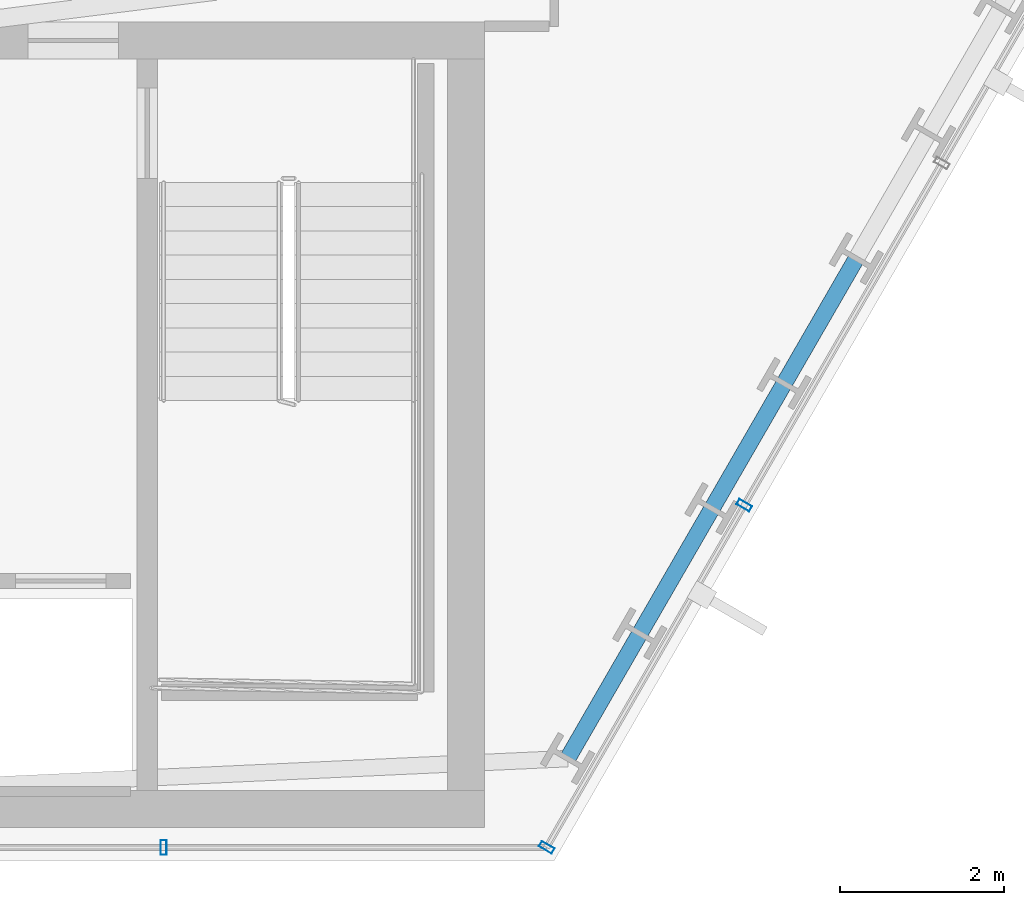
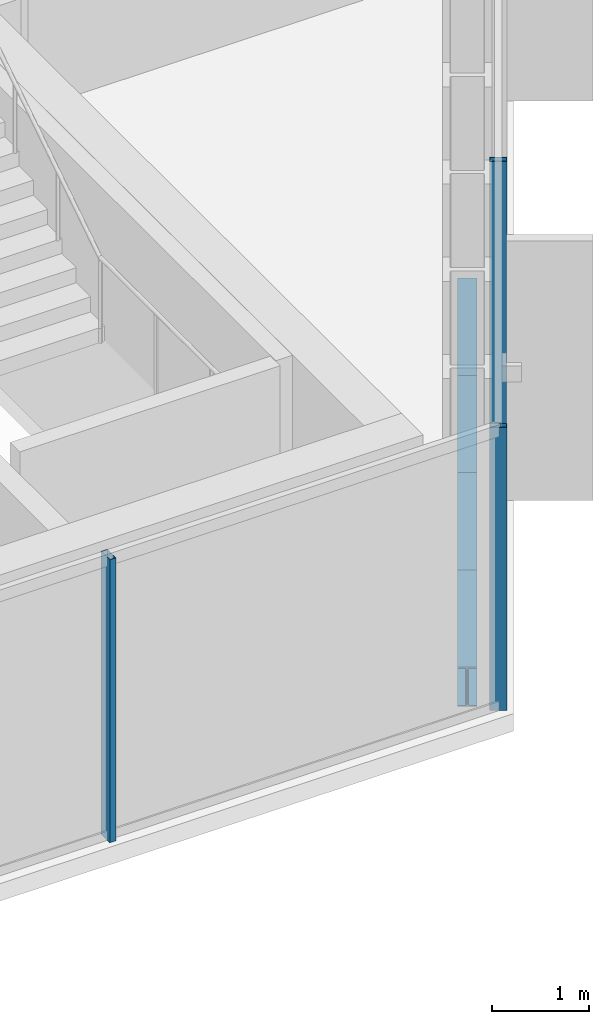
# One storey, part 16 of 33: 4 beams, 3 members, 2 elements without a shape of their own.
"""IFC4 building model written with IfcOpenShell, lengths in metres."""

from ifc_helpers import new_model, si_unit, direction, frame, origin, origin_2d, place, context, subcontext, project, spatial, hollow_rectangle, i_section, extrude, material, layer, layer_set, material_profile, profile_set, type_object, element, aggregate, save


model = new_model("IFC4")

# Units and contexts
model_context = context("Model", 3, precision=1e-05, world=origin(), true_north=direction((0.0, 1.0)))
body_context = subcontext(model_context, "Body", "Model", "MODEL_VIEW")
ifc_project = project(units=[si_unit("LENGTHUNIT", "METRE"), si_unit("AREAUNIT", "SQUARE_METRE"), si_unit("VOLUMEUNIT", "CUBIC_METRE"), si_unit("PLANEANGLEUNIT", "RADIAN"), si_unit("MASSUNIT", "GRAM", prefix="KILO")], contexts=[model_context])

# Site, building, storey
site_placement = place(None, origin())
site = spatial("IfcSite", under=ifc_project, at=site_placement, CompositionType="ELEMENT")
building_placement = place(site_placement, origin())
building = spatial("IfcBuilding", under=site, at=building_placement, Name="Ndaravel Arena Tower", CompositionType="ELEMENT")
storey_placement = place(building_placement, frame((0.0, 0.0, 81.60009765625)))
storey = spatial("IfcBuildingStorey", under=building, at=storey_placement, Name="L18", CompositionType="ELEMENT", Elevation=81.60009765625)

# Beams
ifc_material_1 = material(Name="Steel S355", Category="steel")
ifc_material_profile_1 = material_profile(ifc_material_1, i_section(OverallWidth=0.199951171875, OverallDepth=0.5, WebThickness=0.01025390625, FlangeThickness=0.01611328125, FilletRadius=0.02099609375, at=origin_2d()), Name="IPE 500")
ifc_profile_set_1 = profile_set([ifc_material_profile_1], Name="Steel S355")
beam_type = type_object("IfcBeamType", Name="BM-SPAN-IPE500", PredefinedType="SPANDREL", material=ifc_profile_set_1)
for number, where, z_axis, x_axis, name in (
    (1, (58.563232421875, 6.240478515625, -0.47021484375), (0.500011241135, 0.866018913615, 0.0), (-0.866018913615, 0.500011241135, 0.0), "L18 Perimeter Spandrel Beam SP-02"),
    (2, (59.44140625, 7.761474609375, -0.47021484375), (0.500011241135, 0.866018913615, 0.0), (-0.866018913615, 0.500011241135, 0.0), "L18 Perimeter Spandrel Beam SP-03"),
    (3, (60.319580078125, 9.282470703125, -0.47021484375), (0.500011241135, 0.866018913615, 0.0), (-0.866018913615, 0.500011241135, 0.0), "L18 Perimeter Spandrel Beam SP-04"),
):
    element("IfcBeam", number, at=place(storey_placement, frame(where, z_axis=z_axis, x_axis=x_axis)), inside=storey, type_object=beam_type, Name=name, PredefinedType="SPANDREL", context=body_context, shape_type="SweptSolid", body=[
        extrude(i_section(OverallWidth=0.199951171875, OverallDepth=0.5, WebThickness=0.01025390625, FlangeThickness=0.01611328125, FilletRadius=0.02099609375, at=origin_2d()), origin(), (0.0, 0.0, 1.0), 1.75634765625),
    ])
beam_placement = place(storey_placement, frame((61.19775390625, 10.803466796875, -0.47021484375), z_axis=(0.49990697594, 0.86607910459, 0.0), x_axis=(-0.86607910459, 0.49990697594, 0.0)))
element("IfcBeam", 4, at=beam_placement, inside=storey, type_object=beam_type, Name="L18 Perimeter Spandrel Beam SP-05", PredefinedType="SPANDREL", context=body_context, shape_type="SweptSolid", body=[
    extrude(i_section(OverallWidth=0.199951171875, OverallDepth=0.5, WebThickness=0.01025390625, FlangeThickness=0.01611328125, FilletRadius=0.02099609375, at=origin_2d()), origin(), (0.0, 0.0, 1.0), 1.756103515625),
])

# Curtain wall, member
ifc_material_2 = material(Name="Aluminium", Category="aluminium")
ifc_layer_1 = layer(ifc_material_2, 0.179931640625)
ifc_layer_set_1 = layer_set([ifc_layer_1], Name="Aluminium")
curtain_wall_type_1 = type_object("IfcCurtainWallType", Name="CW-SYS-03", PredefinedType="NOTDEFINED", material=ifc_layer_set_1)
curtain_wall_1_placement = place(storey_placement, origin())
curtain_wall_1 = element("IfcCurtainWall", 5, at=curtain_wall_1_placement, inside=storey, type_object=curtain_wall_type_1, Name="L18 Faceted Crystal Curtain Wall CW-L18-E01", PredefinedType="NOTDEFINED")
ifc_material_3 = material(Name="Aluminium", Category="aluminium")
ifc_material_profile_2 = material_profile(ifc_material_3, hollow_rectangle(XDim=0.074951171875, YDim=0.179931640625, WallThickness=0.00390625, at=origin_2d()), Name="CW MULLION 75x180x4")
ifc_profile_set_2 = profile_set([ifc_material_profile_2], Name="Aluminium")
member_type = type_object("IfcMemberType", Name="MEM-CW-MUL180", PredefinedType="MULLION", material=ifc_profile_set_2)
member_1_placement = place(storey_placement, frame((53.649169921875, 5.159912109375, 0.0), z_axis=(0.0, 0.0, 1.0), x_axis=(1.0, 0.0, 0.0)))
member_1 = element("IfcMember", 6, at=member_1_placement, type_object=member_type, Name="CW-L18-E01 Mullion 06", PredefinedType="MULLION", context=body_context, shape_type="SweptSolid", body=[
    extrude(hollow_rectangle(XDim=0.074951171875, YDim=0.179931640625, WallThickness=0.00390625, at=origin_2d()), origin(), (0.0, 0.0, 1.0), 3.579833984375),
])
aggregate(curtain_wall_1, [member_1])

# Curtain wall, members
ifc_material_4 = material(Name="Aluminium", Category="aluminium")
ifc_layer_2 = layer(ifc_material_4, 0.179931640625)
ifc_layer_set_2 = layer_set([ifc_layer_2], Name="Aluminium")
curtain_wall_type_2 = type_object("IfcCurtainWallType", Name="CW-SYS-01", PredefinedType="NOTDEFINED", material=ifc_layer_set_2)
curtain_wall_2_placement = place(storey_placement, origin())
curtain_wall_2 = element("IfcCurtainWall", 7, at=curtain_wall_2_placement, inside=storey, type_object=curtain_wall_type_2, Name="L18 Faceted Crystal Curtain Wall CW-L18-E02", PredefinedType="NOTDEFINED")
member_2_placement = place(storey_placement, frame((58.308837890625, 5.159912109375, 0.0), z_axis=(0.0, 0.0, 1.0), x_axis=(0.5, 0.866025403784, 0.0)))
member_2 = element("IfcMember", 8, at=member_2_placement, type_object=member_type, Name="CW-L18-E02 Mullion 00", PredefinedType="MULLION", context=body_context, shape_type="SweptSolid", body=[
    extrude(hollow_rectangle(XDim=0.074951171875, YDim=0.179931640625, WallThickness=0.00390625, at=origin_2d()), origin(), (0.0, 0.0, 1.0), 3.579833984375),
])
member_3_placement = place(storey_placement, frame((60.712158203125, 9.322509765625, 0.0), z_axis=(0.0, 0.0, 1.0), x_axis=(0.5, 0.866025403784, 0.0)))
member_3 = element("IfcMember", 9, at=member_3_placement, type_object=member_type, Name="CW-L18-E02 Mullion 01", PredefinedType="MULLION", context=body_context, shape_type="SweptSolid", body=[
    extrude(hollow_rectangle(XDim=0.074951171875, YDim=0.179931640625, WallThickness=0.00390625, at=origin_2d()), origin(), (0.0, 0.0, 1.0), 3.579833984375),
])
aggregate(curtain_wall_2, [member_2, member_3])

save(model, "model.ifc")
